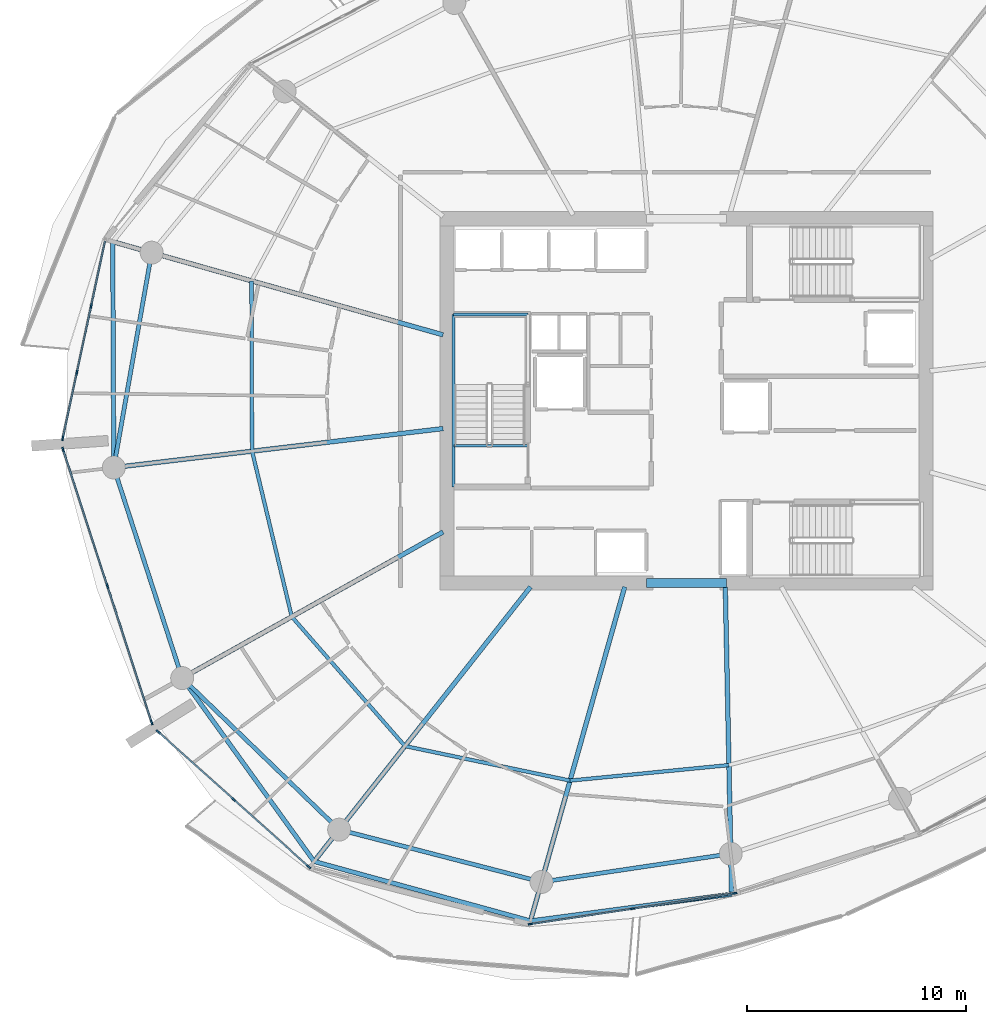
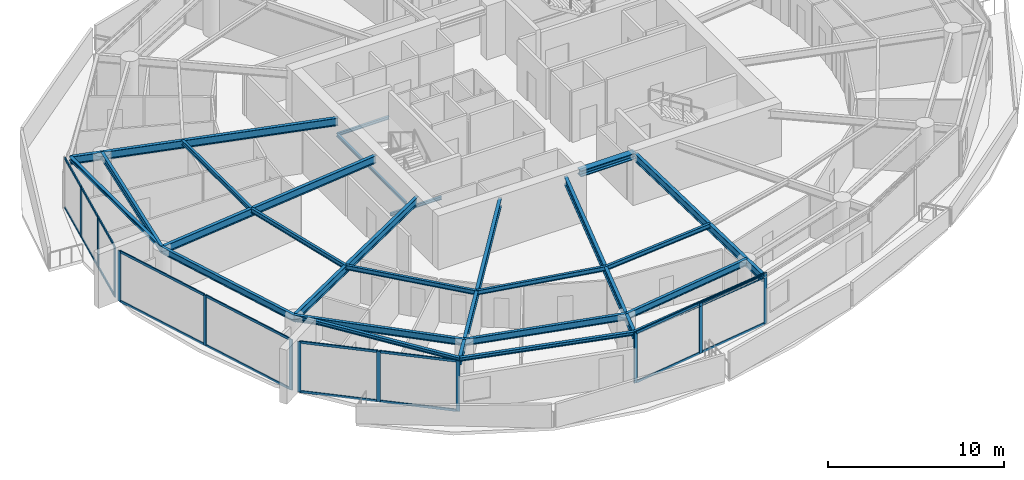
# One storey, part 5 of 20: 30 members, 24 beams, 4 elements without a shape of their own.
"""IFC4 building model written with IfcOpenShell, lengths in metres."""

from ifc_helpers import new_model, si_unit, direction, frame, origin, origin_2d, place, context, subcontext, project, spatial, rectangle, i_section, extrude, material, layer, layer_set, material_profile, profile_set, type_object, element, aggregate, save


model = new_model("IFC4")

# Units and contexts
model_context = context("Model", 3, precision=1e-05, world=origin(), true_north=direction((0.0, 1.0)))
body_context = subcontext(model_context, "Body", "Model", "MODEL_VIEW")
ifc_project = project(units=[si_unit("LENGTHUNIT", "METRE"), si_unit("AREAUNIT", "SQUARE_METRE"), si_unit("VOLUMEUNIT", "CUBIC_METRE"), si_unit("PLANEANGLEUNIT", "RADIAN"), si_unit("MASSUNIT", "GRAM", prefix="KILO")], contexts=[model_context])

# Site, building, storey
site_placement = place(None, origin())
site = spatial("IfcSite", under=ifc_project, at=site_placement, CompositionType="ELEMENT")
building_placement = place(site_placement, origin())
building = spatial("IfcBuilding", under=site, at=building_placement, Name="Kazma Halo Residences", CompositionType="ELEMENT")
storey_placement = place(building_placement, frame((0.0, 0.0, 202.800048828125)))
storey = spatial("IfcBuildingStorey", under=building, at=storey_placement, Name="L51", CompositionType="ELEMENT", Elevation=202.800048828125)

# Beams
ifc_material_1 = material(Name="Steel S355", Category="steel")
ifc_material_profile_1 = material_profile(ifc_material_1, i_section(OverallWidth=0.201904296875, OverallDepth=0.2470703125, WebThickness=0.00732421875, FlangeThickness=0.010986328125, FilletRadius=0.011962890625, at=origin_2d()), Name="W250x49.1")
ifc_profile_set_1 = profile_set([ifc_material_profile_1], Name="Steel S355")
beam_type_1 = type_object("IfcBeamType", Name="BM-BAL-CANT", PredefinedType="BEAM", material=ifc_profile_set_1)
for number, where, z_axis, x_axis, name in (
    (1, (22.19970703125, 49.276611328125, 3.37646484375), (0.004705663334, -0.999988928305, 0.0), (0.999988928305, 0.004705663334, 0.0), "L51 wave-balcony tie beam 07"),
    (2, (25.375, 29.329345703125, 3.37646484375), (0.583963922576, -0.811779611181, 0.0), (0.811779611181, 0.583963922576, 0.0), "L51 wave-balcony lead tie beam 09"),
):
    element("IfcBeam", number, at=place(storey_placement, frame(where, z_axis=z_axis, x_axis=x_axis)), inside=storey, type_object=beam_type_1, Name=name, PredefinedType="BEAM", context=body_context, shape_type="SweptSolid", body=[
        extrude(i_section(OverallWidth=0.201904296875, OverallDepth=0.2470703125, WebThickness=0.00732421875, FlangeThickness=0.010986328125, FilletRadius=0.011962890625, at=origin_2d()), origin(), (0.0, 0.0, 1.0), 10.324462890625),
    ])
beam_1_placement = place(storey_placement, frame((31.404052734375, 20.9482421875, 3.37646484375), z_axis=(0.964197026197, -0.265186905169, 0.0), x_axis=(0.265186905169, 0.964197026197, 0.0)))
element("IfcBeam", 3, at=beam_1_placement, inside=storey, type_object=beam_type_1, Name="L51 wave-balcony tie beam 10", PredefinedType="BEAM", context=body_context, shape_type="SweptSolid", body=[
    extrude(i_section(OverallWidth=0.201904296875, OverallDepth=0.2470703125, WebThickness=0.00732421875, FlangeThickness=0.010986328125, FilletRadius=0.011962890625, at=origin_2d()), origin(), (0.0, 0.0, 1.0), 10.258544921875),
])
beam_2_placement = place(storey_placement, frame((41.29541015625, 18.227783203125, 3.37646484375), z_axis=(0.99126671613, 0.131872277199, 0.0), x_axis=(-0.131872277199, 0.99126671613, 0.0)))
element("IfcBeam", 4, at=beam_2_placement, inside=storey, type_object=beam_type_1, Name="L51 wave-balcony tie beam 11", PredefinedType="BEAM", context=body_context, shape_type="SweptSolid", body=[
    extrude(i_section(OverallWidth=0.201904296875, OverallDepth=0.2470703125, WebThickness=0.00732421875, FlangeThickness=0.010986328125, FilletRadius=0.011962890625, at=origin_2d()), origin(), (0.0, 0.0, 1.0), 9.2734375),
])
ifc_material_profile_2 = material_profile(ifc_material_1, i_section(OverallWidth=0.408935546875, OverallDepth=0.425048828125, WebThickness=0.03271484375, FlangeThickness=0.052490234375, FilletRadius=0.02001953125, at=origin_2d()), Name="W360x421")
ifc_profile_set_2 = profile_set([ifc_material_profile_2], Name="Steel S355")
beam_type_2 = type_object("IfcBeamType", Name="BM-CORE-W360H", PredefinedType="BEAM", material=ifc_profile_set_2)
beam_3_placement = place(storey_placement, frame((46.60009765625, 33.675048828125, 3.287353515625), z_axis=(1.0, 0.0, 0.0), x_axis=(0.0, 1.0, 0.0)))
element("IfcBeam", 5, at=beam_3_placement, inside=storey, type_object=beam_type_2, Name="L51 core coupling beam S", PredefinedType="BEAM", context=body_context, shape_type="SweptSolid", body=[
    extrude(i_section(OverallWidth=0.408935546875, OverallDepth=0.425048828125, WebThickness=0.03271484375, FlangeThickness=0.052490234375, FilletRadius=0.02001953125, at=origin_2d()), origin(), (0.0, 0.0, 1.0), 3.64990234375),
])
ifc_material_profile_3 = material_profile(ifc_material_1, i_section(OverallWidth=0.208984375, OverallDepth=0.532958984375, WebThickness=0.01025390625, FlangeThickness=0.015625, FilletRadius=0.01611328125, at=origin_2d()), Name="W530x92")
ifc_profile_set_3 = profile_set([ifc_material_profile_3], Name="Steel S355")
beam_type_3 = type_object("IfcBeamType", Name="BM-RAD-W530", PredefinedType="BEAM", material=ifc_profile_set_3)
beam_4_placement = place(storey_placement, frame((37.300048828125, 45.017578125, 3.2333984375), z_axis=(-0.962450301448, 0.271457947467, 0.0), x_axis=(-0.271457947467, -0.962450301448, 0.0)))
element("IfcBeam", 6, at=beam_4_placement, inside=storey, type_object=beam_type_3, Name="L51 radial floor beam 07", PredefinedType="BEAM", context=body_context, shape_type="SweptSolid", body=[
    extrude(i_section(OverallWidth=0.208984375, OverallDepth=0.532958984375, WebThickness=0.01025390625, FlangeThickness=0.015625, FilletRadius=0.01611328125, at=origin_2d()), origin(), (0.0, 0.0, 1.0), 15.689453125),
])
beam_5_placement = place(storey_placement, frame((37.300048828125, 40.733642578125, 3.2333984375), z_axis=(-0.993068447674, -0.117537475875, 0.0), x_axis=(0.117537475875, -0.993068447674, 0.0)))
element("IfcBeam", 7, at=beam_5_placement, inside=storey, type_object=beam_type_3, Name="L51 radial floor beam 08", PredefinedType="BEAM", context=body_context, shape_type="SweptSolid", body=[
    extrude(i_section(OverallWidth=0.208984375, OverallDepth=0.532958984375, WebThickness=0.01025390625, FlangeThickness=0.015625, FilletRadius=0.01611328125, at=origin_2d()), origin(), (0.0, 0.0, 1.0), 15.15673828125),
])
beam_6_placement = place(storey_placement, frame((37.300048828125, 36.0078125, 3.2333984375), z_axis=(-0.872492308718, -0.488627845327, 0.0), x_axis=(0.488627845327, -0.872492308718, 0.0)))
element("IfcBeam", 8, at=beam_6_placement, inside=storey, type_object=beam_type_3, Name="L51 radial floor beam 09", PredefinedType="BEAM", context=body_context, shape_type="SweptSolid", body=[
    extrude(i_section(OverallWidth=0.208984375, OverallDepth=0.532958984375, WebThickness=0.01025390625, FlangeThickness=0.015625, FilletRadius=0.01611328125, at=origin_2d()), origin(), (0.0, 0.0, 1.0), 13.667724609375),
])
beam_7_placement = place(storey_placement, frame((41.299072265625, 33.5, 3.2333984375), z_axis=(-0.61909439419, -0.785316580165, 0.0), x_axis=(0.785316580165, -0.61909439419, 0.0)))
element("IfcBeam", 9, at=beam_7_placement, inside=storey, type_object=beam_type_3, Name="L51 radial floor beam 10", PredefinedType="BEAM", context=body_context, shape_type="SweptSolid", body=[
    extrude(i_section(OverallWidth=0.208984375, OverallDepth=0.532958984375, WebThickness=0.01025390625, FlangeThickness=0.015625, FilletRadius=0.01611328125, at=origin_2d()), origin(), (0.0, 0.0, 1.0), 15.983154296875),
])
beam_8_placement = place(storey_placement, frame((45.602783203125, 33.5, 3.2333984375), z_axis=(-0.271449932859, -0.962452561922, 0.0), x_axis=(0.962452561922, -0.271449932859, 0.0)))
element("IfcBeam", 10, at=beam_8_placement, inside=storey, type_object=beam_type_3, Name="L51 radial floor beam 11", PredefinedType="BEAM", context=body_context, shape_type="SweptSolid", body=[
    extrude(i_section(OverallWidth=0.208984375, OverallDepth=0.532958984375, WebThickness=0.01025390625, FlangeThickness=0.015625, FilletRadius=0.01611328125, at=origin_2d()), origin(), (0.0, 0.0, 1.0), 15.867919921875),
])
beam_9_placement = place(storey_placement, frame((50.199951171875, 33.5, 3.2333984375), z_axis=(0.020483658838, -0.99979018785, 0.0), x_axis=(0.99979018785, 0.020483658838, 0.0)))
element("IfcBeam", 11, at=beam_9_placement, inside=storey, type_object=beam_type_3, Name="L51 radial floor beam 12", PredefinedType="BEAM", context=body_context, shape_type="SweptSolid", body=[
    extrude(i_section(OverallWidth=0.208984375, OverallDepth=0.532958984375, WebThickness=0.01025390625, FlangeThickness=0.015625, FilletRadius=0.01611328125, at=origin_2d()), origin(), (0.0, 0.0, 1.0), 14.05224609375),
])
ifc_material_profile_4 = material_profile(ifc_material_1, i_section(OverallWidth=0.1650390625, OverallDepth=0.31005859375, WebThickness=0.005859375, FlangeThickness=0.009765625, FilletRadius=0.011962890625, at=origin_2d()), Name="W310x38.7")
ifc_profile_set_4 = profile_set([ifc_material_profile_4], Name="Steel S355")
beam_type_4 = type_object("IfcBeamType", Name="BM-SEC-W310B", PredefinedType="JOIST", material=ifc_profile_set_4)
beam_10_placement = place(storey_placement, frame((28.5419921875, 47.48779296875, 3.344970703125), z_axis=(0.003605218278, -0.999993501179, 0.0), x_axis=(0.999993501179, 0.003605218278, 0.0)))
element("IfcBeam", 12, at=beam_10_placement, inside=storey, type_object=beam_type_4, Name="L51 circumferential floor joist 07", PredefinedType="JOIST", context=body_context, shape_type="SweptSolid", body=[
    extrude(i_section(OverallWidth=0.1650390625, OverallDepth=0.31005859375, WebThickness=0.005859375, FlangeThickness=0.009765625, FilletRadius=0.011962890625, at=origin_2d()), origin(), (0.0, 0.0, 1.0), 7.78759765625),
])
beam_11_placement = place(storey_placement, frame((28.570068359375, 39.7001953125, 3.344970703125), z_axis=(0.233058429286, -0.972462733753, 0.0), x_axis=(0.972462733753, 0.233058429286, 0.0)))
element("IfcBeam", 13, at=beam_11_placement, inside=storey, type_object=beam_type_4, Name="L51 circumferential floor joist 08", PredefinedType="JOIST", context=body_context, shape_type="SweptSolid", body=[
    extrude(i_section(OverallWidth=0.1650390625, OverallDepth=0.31005859375, WebThickness=0.005859375, FlangeThickness=0.009765625, FilletRadius=0.011962890625, at=origin_2d()), origin(), (0.0, 0.0, 1.0), 7.7802734375),
])
beam_12_placement = place(storey_placement, frame((30.38330078125, 32.13427734375, 3.344970703125), z_axis=(0.658629944618, -0.75246700662, 0.0), x_axis=(0.75246700662, 0.658629944618, 0.0)))
element("IfcBeam", 14, at=beam_12_placement, inside=storey, type_object=beam_type_4, Name="L51 circumferential floor joist 09", PredefinedType="JOIST", context=body_context, shape_type="SweptSolid", body=[
    extrude(i_section(OverallWidth=0.1650390625, OverallDepth=0.31005859375, WebThickness=0.005859375, FlangeThickness=0.009765625, FilletRadius=0.011962890625, at=origin_2d()), origin(), (0.0, 0.0, 1.0), 7.85986328125),
])
beam_13_placement = place(storey_placement, frame((35.56005859375, 26.219970703125, 3.344970703125), z_axis=(0.978821484976, -0.204715657802, 0.0), x_axis=(0.204715657802, 0.978821484976, 0.0)))
element("IfcBeam", 15, at=beam_13_placement, inside=storey, type_object=beam_type_4, Name="L51 circumferential floor joist 10", PredefinedType="JOIST", context=body_context, shape_type="SweptSolid", body=[
    extrude(i_section(OverallWidth=0.1650390625, OverallDepth=0.31005859375, WebThickness=0.005859375, FlangeThickness=0.009765625, FilletRadius=0.011962890625, at=origin_2d()), origin(), (0.0, 0.0, 1.0), 7.707763671875),
])
beam_14_placement = place(storey_placement, frame((43.1044921875, 24.64208984375, 3.344970703125), z_axis=(0.995262165401, 0.097227681872, 0.0), x_axis=(-0.097227681872, 0.995262165401, 0.0)))
element("IfcBeam", 16, at=beam_14_placement, inside=storey, type_object=beam_type_4, Name="L51 circumferential floor joist 11", PredefinedType="JOIST", context=body_context, shape_type="SweptSolid", body=[
    extrude(i_section(OverallWidth=0.1650390625, OverallDepth=0.31005859375, WebThickness=0.005859375, FlangeThickness=0.009765625, FilletRadius=0.011962890625, at=origin_2d()), origin(), (0.0, 0.0, 1.0), 7.297119140625),
])
ifc_material_profile_5 = material_profile(ifc_material_1, i_section(OverallWidth=0.18994140625, OverallDepth=0.45703125, WebThickness=0.009033203125, FlangeThickness=0.014404296875, FilletRadius=0.01611328125, at=origin_2d()), Name="W460x74")
ifc_profile_set_5 = profile_set([ifc_material_profile_5], Name="Steel S355")
beam_type_5 = type_object("IfcBeamType", Name="BM-SPN-W460", PredefinedType="BEAM", material=ifc_profile_set_5)
beam_15_placement = place(storey_placement, frame((23.980224609375, 48.7744140625, 3.271484375), z_axis=(-0.173648484202, -0.984807698962, 0.0), x_axis=(0.984807698962, -0.173648484202, 0.0)))
element("IfcBeam", 17, at=beam_15_placement, inside=storey, type_object=beam_type_5, Name="L51 perimeter ring beam 07", PredefinedType="BEAM", context=body_context, shape_type="SweptSolid", body=[
    extrude(i_section(OverallWidth=0.18994140625, OverallDepth=0.45703125, WebThickness=0.009033203125, FlangeThickness=0.014404296875, FilletRadius=0.01611328125, at=origin_2d()), origin(), (0.0, 0.0, 1.0), 9.973876953125),
])
beam_16_placement = place(storey_placement, frame((22.248291015625, 38.9521484375, 3.271484375), z_axis=(0.309023327426, -0.951054458539, 0.0), x_axis=(0.951054458539, 0.309023327426, 0.0)))
element("IfcBeam", 18, at=beam_16_placement, inside=storey, type_object=beam_type_5, Name="L51 perimeter ring beam 08", PredefinedType="BEAM", context=body_context, shape_type="SweptSolid", body=[
    extrude(i_section(OverallWidth=0.18994140625, OverallDepth=0.45703125, WebThickness=0.009033203125, FlangeThickness=0.014404296875, FilletRadius=0.01611328125, at=origin_2d()), origin(), (0.0, 0.0, 1.0), 10.117919921875),
])
beam_17_placement = place(storey_placement, frame((25.375, 29.329345703125, 3.271484375), z_axis=(0.71933650181, -0.694661786169, 0.0), x_axis=(0.694661786169, 0.71933650181, 0.0)))
element("IfcBeam", 19, at=beam_17_placement, inside=storey, type_object=beam_type_5, Name="L51 perimeter ring beam 09", PredefinedType="BEAM", context=body_context, shape_type="SweptSolid", body=[
    extrude(i_section(OverallWidth=0.18994140625, OverallDepth=0.45703125, WebThickness=0.009033203125, FlangeThickness=0.014404296875, FilletRadius=0.01611328125, at=origin_2d()), origin(), (0.0, 0.0, 1.0), 9.9736328125),
])
beam_18_placement = place(storey_placement, frame((32.54931640625, 22.401123046875, 3.271484375), z_axis=(0.968120950739, -0.25048318255, 0.0), x_axis=(0.25048318255, 0.968120950739, 0.0)))
element("IfcBeam", 20, at=beam_18_placement, inside=storey, type_object=beam_type_5, Name="L51 perimeter ring beam 10", PredefinedType="BEAM", context=body_context, shape_type="SweptSolid", body=[
    extrude(i_section(OverallWidth=0.18994140625, OverallDepth=0.45703125, WebThickness=0.009033203125, FlangeThickness=0.014404296875, FilletRadius=0.01611328125, at=origin_2d()), origin(), (0.0, 0.0, 1.0), 9.552734375),
])
beam_19_placement = place(storey_placement, frame((41.797607421875, 20.00830078125, 3.271484375), z_axis=(0.98903439143, 0.147685383732, 0.0), x_axis=(-0.147685383732, 0.98903439143, 0.0)))
element("IfcBeam", 21, at=beam_19_placement, inside=storey, type_object=beam_type_5, Name="L51 perimeter ring beam 11", PredefinedType="BEAM", context=body_context, shape_type="SweptSolid", body=[
    extrude(i_section(OverallWidth=0.18994140625, OverallDepth=0.45703125, WebThickness=0.009033203125, FlangeThickness=0.014404296875, FilletRadius=0.01611328125, at=origin_2d()), origin(), (0.0, 0.0, 1.0), 8.748291015625),
])
ifc_material_profile_6 = material_profile(ifc_material_1, i_section(OverallWidth=0.133056640625, OverallDepth=0.20703125, WebThickness=0.005859375, FlangeThickness=0.00830078125, FilletRadius=0.010009765625, at=origin_2d()), Name="W200x26.6")
ifc_profile_set_6 = profile_set([ifc_material_profile_6], Name="Steel S355")
beam_type_6 = type_object("IfcBeamType", Name="BM-TRIM-W200", PredefinedType="BEAM", material=ifc_profile_set_6)
beam_20_placement = place(storey_placement, frame((37.800048828125, 39.949951171875, -0.360107421875), z_axis=(1.0, 0.0, 0.0), x_axis=(0.0, 1.0, 0.0)))
element("IfcBeam", 22, at=beam_20_placement, inside=storey, type_object=beam_type_6, Name="L51 ST-01 floor landing support beam", PredefinedType="BEAM", context=body_context, shape_type="SweptSolid", body=[
    extrude(i_section(OverallWidth=0.133056640625, OverallDepth=0.20703125, WebThickness=0.005859375, FlangeThickness=0.00830078125, FilletRadius=0.010009765625, at=origin_2d()), origin(), (0.0, 0.0, 1.0), 3.3798828125),
])
beam_21_placement = place(storey_placement, frame((37.780029296875, 38.06005859375, 1.570068359375), z_axis=(0.0, 1.0, 0.0), x_axis=(-1.0, 0.0, 0.0)))
element("IfcBeam", 23, at=beam_21_placement, inside=storey, type_object=beam_type_6, Name="L51 ST-01 landing west wall ledger", PredefinedType="BEAM", context=body_context, shape_type="SweptSolid", body=[
    extrude(i_section(OverallWidth=0.133056640625, OverallDepth=0.20703125, WebThickness=0.005859375, FlangeThickness=0.00830078125, FilletRadius=0.010009765625, at=origin_2d()), origin(), (0.0, 0.0, 1.0), 7.8798828125),
])
beam_22_placement = place(storey_placement, frame((37.780029296875, 45.93994140625, 1.570068359375), z_axis=(1.0, 0.0, 0.0), x_axis=(0.0, 1.0, 0.0)))
element("IfcBeam", 24, at=beam_22_placement, inside=storey, type_object=beam_type_6, Name="L51 ST-01 landing end wall ledger", PredefinedType="BEAM", context=body_context, shape_type="SweptSolid", body=[
    extrude(i_section(OverallWidth=0.133056640625, OverallDepth=0.20703125, WebThickness=0.005859375, FlangeThickness=0.00830078125, FilletRadius=0.010009765625, at=origin_2d()), origin(), (0.0, 0.0, 1.0), 3.39990234375),
])

# Curtain wall, members
ifc_material_2 = material(Name="Aluminium AW-6063 T6 and Triple-Silver Low-E Glass", Category="aluminium")
ifc_layer = layer(ifc_material_2, 0.219970703125)
ifc_layer_set = layer_set([ifc_layer], Name="Aluminium AW-6063 T6 and Triple-Silver Low-E Glass")
curtain_wall_type = type_object("IfcCurtainWallType", Name="CW-SYS-4", PredefinedType="NOTDEFINED", material=ifc_layer_set)
curtain_wall_1_placement = place(storey_placement, origin())
curtain_wall_1 = element("IfcCurtainWall", 25, at=curtain_wall_1_placement, inside=storey, type_object=curtain_wall_type, Name="L51 unitised curtain wall B07", PredefinedType="NOTDEFINED")
ifc_material_3 = material(Name="Aluminium AW-6063 T6", Category="aluminium")
ifc_material_profile_7 = material_profile(ifc_material_3, rectangle(XDim=0.074951171875, YDim=0.219970703125, at=origin_2d()), Name="CWM-75x220")
ifc_profile_set_7 = profile_set([ifc_material_profile_7], Name="Aluminium AW-6063 T6")
member_type_1 = type_object("IfcMemberType", Name="CW-SYS-4-MUL", PredefinedType="MULLION", material=ifc_profile_set_7)
member_1_placement = place(storey_placement, frame((21.212890625, 46.3330078125, 0.0), z_axis=(0.0, 0.0, 1.0), x_axis=(0.977768017212, -0.209689543175, 0.0)))
member_1 = element("IfcMember", 26, at=member_1_placement, type_object=member_type_1, Name="CWS-4 mullion 2", PredefinedType="MULLION", context=body_context, shape_type="SweptSolid", body=[
    extrude(rectangle(XDim=0.074951171875, YDim=0.219970703125, at=origin_2d()), origin(), (0.0, 0.0, 1.0), 3.5),
])
member_2_placement = place(storey_placement, frame((20.561279296875, 43.295166015625, 0.0), z_axis=(0.0, 0.0, 1.0), x_axis=(0.977768017212, -0.209689543175, 0.0)))
member_2 = element("IfcMember", 27, at=member_2_placement, type_object=member_type_1, Name="CWS-4 mullion 3", PredefinedType="MULLION", context=body_context, shape_type="SweptSolid", body=[
    extrude(rectangle(XDim=0.074951171875, YDim=0.219970703125, at=origin_2d()), origin(), (0.0, 0.0, 1.0), 3.5),
])
member_3_placement = place(storey_placement, frame((19.917724609375, 40.2939453125, 0.0), z_axis=(0.0, 0.0, 1.0), x_axis=(0.977768017212, -0.209689543175, 0.0)))
member_3 = element("IfcMember", 28, at=member_3_placement, type_object=member_type_1, Name="CWS-4 mullion 4", PredefinedType="MULLION", context=body_context, shape_type="SweptSolid", body=[
    extrude(rectangle(XDim=0.074951171875, YDim=0.219970703125, at=origin_2d()), origin(), (0.0, 0.0, 1.0), 3.5),
])

curtain_wall_2_placement = place(storey_placement, origin())
curtain_wall_2 = element("IfcCurtainWall", 29, at=curtain_wall_2_placement, inside=storey, type_object=curtain_wall_type, Name="L51 unitised curtain wall B08", PredefinedType="NOTDEFINED")
member_4_placement = place(storey_placement, frame((19.9287109375, 39.77880859375, 0.0), z_axis=(0.0, 0.0, 1.0), x_axis=(0.951056893636, 0.309015833038, 0.0)))
member_4 = element("IfcMember", 30, at=member_4_placement, type_object=member_type_1, Name="CWS-4 mullion 1", PredefinedType="MULLION", context=body_context, shape_type="SweptSolid", body=[
    extrude(rectangle(XDim=0.074951171875, YDim=0.219970703125, at=origin_2d()), origin(), (0.0, 0.0, 1.0), 3.5),
])
member_5_placement = place(storey_placement, frame((21.95654296875, 33.5380859375, 0.0), z_axis=(0.0, 0.0, 1.0), x_axis=(0.951056893636, 0.309015833038, 0.0)))
member_5 = element("IfcMember", 31, at=member_5_placement, type_object=member_type_1, Name="CWS-4 mullion 2", PredefinedType="MULLION", context=body_context, shape_type="SweptSolid", body=[
    extrude(rectangle(XDim=0.074951171875, YDim=0.219970703125, at=origin_2d()), origin(), (0.0, 0.0, 1.0), 3.5),
])
member_6_placement = place(storey_placement, frame((23.984375, 27.297119140625, 0.0), z_axis=(0.0, 0.0, 1.0), x_axis=(0.951056893636, 0.309015833038, 0.0)))
member_6 = element("IfcMember", 32, at=member_6_placement, type_object=member_type_1, Name="CWS-4 mullion 3", PredefinedType="MULLION", context=body_context, shape_type="SweptSolid", body=[
    extrude(rectangle(XDim=0.074951171875, YDim=0.219970703125, at=origin_2d()), origin(), (0.0, 0.0, 1.0), 3.5),
])

curtain_wall_3_placement = place(storey_placement, origin())
curtain_wall_3 = element("IfcCurtainWall", 33, at=curtain_wall_3_placement, inside=storey, type_object=curtain_wall_type, Name="L51 unitised curtain wall B09", PredefinedType="NOTDEFINED")
member_7_placement = place(storey_placement, frame((24.2783203125, 26.873779296875, 0.0), z_axis=(0.0, 0.0, 1.0), x_axis=(0.667784328806, 0.744354814723, 0.0)))
member_7 = element("IfcMember", 34, at=member_7_placement, type_object=member_type_1, Name="CWS-4 mullion 1", PredefinedType="MULLION", context=body_context, shape_type="SweptSolid", body=[
    extrude(rectangle(XDim=0.074951171875, YDim=0.219970703125, at=origin_2d()), origin(), (0.0, 0.0, 1.0), 3.5),
])
member_8_placement = place(storey_placement, frame((27.719482421875, 23.786865234375, 0.0), z_axis=(0.0, 0.0, 1.0), x_axis=(0.667784328806, 0.744354814723, 0.0)))
member_8 = element("IfcMember", 35, at=member_8_placement, type_object=member_type_1, Name="CWS-4 mullion 2", PredefinedType="MULLION", context=body_context, shape_type="SweptSolid", body=[
    extrude(rectangle(XDim=0.074951171875, YDim=0.219970703125, at=origin_2d()), origin(), (0.0, 0.0, 1.0), 3.5),
])
member_9_placement = place(storey_placement, frame((31.160400390625, 20.69970703125, 0.0), z_axis=(0.0, 0.0, 1.0), x_axis=(0.667784328806, 0.744354814723, 0.0)))
member_9 = element("IfcMember", 36, at=member_9_placement, type_object=member_type_1, Name="CWS-4 mullion 3", PredefinedType="MULLION", context=body_context, shape_type="SweptSolid", body=[
    extrude(rectangle(XDim=0.074951171875, YDim=0.219970703125, at=origin_2d()), origin(), (0.0, 0.0, 1.0), 3.5),
])

curtain_wall_4_placement = place(storey_placement, origin())
curtain_wall_4 = element("IfcCurtainWall", 37, at=curtain_wall_4_placement, inside=storey, type_object=curtain_wall_type, Name="L51 unitised curtain wall B11", PredefinedType="NOTDEFINED")
member_10_placement = place(storey_placement, frame((41.291259765625, 18.086669921875, 0.0), z_axis=(0.0, 0.0, 1.0), x_axis=(-0.148772639188, 0.988871428361, 0.0)))
member_10 = element("IfcMember", 38, at=member_10_placement, type_object=member_type_1, Name="CWS-4 mullion 1", PredefinedType="MULLION", context=body_context, shape_type="SweptSolid", body=[
    extrude(rectangle(XDim=0.074951171875, YDim=0.219970703125, at=origin_2d()), origin(), (0.0, 0.0, 1.0), 3.5),
])
member_11_placement = place(storey_placement, frame((45.958740234375, 18.788818359375, 0.0), z_axis=(0.0, 0.0, 1.0), x_axis=(-0.148772639188, 0.988871428361, 0.0)))
member_11 = element("IfcMember", 39, at=member_11_placement, type_object=member_type_1, Name="CWS-4 mullion 2", PredefinedType="MULLION", context=body_context, shape_type="SweptSolid", body=[
    extrude(rectangle(XDim=0.074951171875, YDim=0.219970703125, at=origin_2d()), origin(), (0.0, 0.0, 1.0), 3.5),
])
member_12_placement = place(storey_placement, frame((50.626220703125, 19.490966796875, 0.0), z_axis=(0.0, 0.0, 1.0), x_axis=(-0.148772639188, 0.988871428361, 0.0)))
member_12 = element("IfcMember", 40, at=member_12_placement, type_object=member_type_1, Name="CWS-4 mullion 3", PredefinedType="MULLION", context=body_context, shape_type="SweptSolid", body=[
    extrude(rectangle(XDim=0.074951171875, YDim=0.219970703125, at=origin_2d()), origin(), (0.0, 0.0, 1.0), 3.5),
])

# Member
ifc_material_profile_8 = material_profile(ifc_material_3, rectangle(XDim=0.074951171875, YDim=0.1650390625, at=origin_2d()), Name="CWT-75x165")
ifc_profile_set_8 = profile_set([ifc_material_profile_8], Name="Aluminium AW-6063 T6")
member_type_2 = type_object("IfcMemberType", Name="CW-SYS-4-TRN", PredefinedType="USERDEFINED", material=ifc_profile_set_8)
member_13_placement = place(storey_placement, frame((21.8486328125, 49.297607421875, 0.037353515625), z_axis=(-0.209707268418, -0.977764215735, 0.0), x_axis=(0.977764215735, -0.209707268418, 0.0)))
member_13 = element("IfcMember", 41, at=member_13_placement, type_object=member_type_2, Name="CWS-4 transom 1.1", ObjectType="TRANSOM", PredefinedType="USERDEFINED", context=body_context, shape_type="SweptSolid", body=[
    extrude(rectangle(XDim=0.074951171875, YDim=0.1650390625, at=origin_2d()), origin(), (0.0, 0.0, 1.0), 2.994384765625),
])

member_14_placement = place(storey_placement, frame((21.8486328125, 49.297607421875, 3.46240234375), z_axis=(-0.209707268418, -0.977764215735, 0.0), x_axis=(0.977764215735, -0.209707268418, 0.0)))
member_14 = element("IfcMember", 42, at=member_14_placement, type_object=member_type_2, Name="CWS-4 transom 1.2", ObjectType="TRANSOM", PredefinedType="USERDEFINED", context=body_context, shape_type="SweptSolid", body=[
    extrude(rectangle(XDim=0.074951171875, YDim=0.1650390625, at=origin_2d()), origin(), (0.0, 0.0, 1.0), 2.994384765625),
])

member_15_placement = place(storey_placement, frame((21.205078125, 46.29638671875, 0.037353515625), z_axis=(-0.209677559804, -0.977770587057, 0.0), x_axis=(0.977770587057, -0.209677559804, 0.0)))
member_15 = element("IfcMember", 43, at=member_15_placement, type_object=member_type_2, Name="CWS-4 transom 2.1", ObjectType="TRANSOM", PredefinedType="USERDEFINED", context=body_context, shape_type="SweptSolid", body=[
    extrude(rectangle(XDim=0.074951171875, YDim=0.1650390625, at=origin_2d()), origin(), (0.0, 0.0, 1.0), 3.031982421875),
])

member_16_placement = place(storey_placement, frame((21.205078125, 46.29638671875, 3.46240234375), z_axis=(-0.209677559804, -0.977770587057, 0.0), x_axis=(0.977770587057, -0.209677559804, 0.0)))
member_16 = element("IfcMember", 44, at=member_16_placement, type_object=member_type_2, Name="CWS-4 transom 2.2", ObjectType="TRANSOM", PredefinedType="USERDEFINED", context=body_context, shape_type="SweptSolid", body=[
    extrude(rectangle(XDim=0.074951171875, YDim=0.1650390625, at=origin_2d()), origin(), (0.0, 0.0, 1.0), 3.031982421875),
])

member_17_placement = place(storey_placement, frame((20.553466796875, 43.258544921875, 0.037353515625), z_axis=(-0.209690551496, -0.97776780097, 0.0), x_axis=(0.97776780097, -0.209690551496, 0.0)))
member_17 = element("IfcMember", 45, at=member_17_placement, type_object=member_type_2, Name="CWS-4 transom 3.1", ObjectType="TRANSOM", PredefinedType="USERDEFINED", context=body_context, shape_type="SweptSolid", body=[
    extrude(rectangle(XDim=0.074951171875, YDim=0.1650390625, at=origin_2d()), origin(), (0.0, 0.0, 1.0), 2.99462890625),
])

member_18_placement = place(storey_placement, frame((20.553466796875, 43.258544921875, 3.46240234375), z_axis=(-0.209690551496, -0.97776780097, 0.0), x_axis=(0.97776780097, -0.209690551496, 0.0)))
member_18 = element("IfcMember", 46, at=member_18_placement, type_object=member_type_2, Name="CWS-4 transom 3.2", ObjectType="TRANSOM", PredefinedType="USERDEFINED", context=body_context, shape_type="SweptSolid", body=[
    extrude(rectangle(XDim=0.074951171875, YDim=0.1650390625, at=origin_2d()), origin(), (0.0, 0.0, 1.0), 2.99462890625),
])

aggregate(curtain_wall_1, [member_1, member_2, member_3, member_13, member_14, member_15, member_16, member_17, member_18])

member_19_placement = place(storey_placement, frame((19.9404296875, 39.7431640625, 0.037353515625), z_axis=(0.30902650142, -0.951053427217, 0.0), x_axis=(0.951053427217, 0.30902650142, 0.0)))
member_19 = element("IfcMember", 47, at=member_19_placement, type_object=member_type_2, Name="CWS-4 transom 1.1", ObjectType="TRANSOM", PredefinedType="USERDEFINED", context=body_context, shape_type="SweptSolid", body=[
    extrude(rectangle(XDim=0.074951171875, YDim=0.1650390625, at=origin_2d()), origin(), (0.0, 0.0, 1.0), 6.487060546875),
])

member_20_placement = place(storey_placement, frame((19.9404296875, 39.7431640625, 3.46240234375), z_axis=(0.30902650142, -0.951053427217, 0.0), x_axis=(0.951053427217, 0.30902650142, 0.0)))
member_20 = element("IfcMember", 48, at=member_20_placement, type_object=member_type_2, Name="CWS-4 transom 1.2", ObjectType="TRANSOM", PredefinedType="USERDEFINED", context=body_context, shape_type="SweptSolid", body=[
    extrude(rectangle(XDim=0.074951171875, YDim=0.1650390625, at=origin_2d()), origin(), (0.0, 0.0, 1.0), 6.487060546875),
])

member_21_placement = place(storey_placement, frame((21.968017578125, 33.50244140625, 0.037353515625), z_axis=(0.309015440644, -0.951057021132, 0.0), x_axis=(0.951057021132, 0.309015440644, 0.0)))
member_21 = element("IfcMember", 49, at=member_21_placement, type_object=member_type_2, Name="CWS-4 transom 2.1", ObjectType="TRANSOM", PredefinedType="USERDEFINED", context=body_context, shape_type="SweptSolid", body=[
    extrude(rectangle(XDim=0.074951171875, YDim=0.1650390625, at=origin_2d()), origin(), (0.0, 0.0, 1.0), 6.487060546875),
])

member_22_placement = place(storey_placement, frame((21.968017578125, 33.50244140625, 3.46240234375), z_axis=(0.309015440644, -0.951057021132, 0.0), x_axis=(0.951057021132, 0.309015440644, 0.0)))
member_22 = element("IfcMember", 50, at=member_22_placement, type_object=member_type_2, Name="CWS-4 transom 2.2", ObjectType="TRANSOM", PredefinedType="USERDEFINED", context=body_context, shape_type="SweptSolid", body=[
    extrude(rectangle(XDim=0.074951171875, YDim=0.1650390625, at=origin_2d()), origin(), (0.0, 0.0, 1.0), 6.487060546875),
])

aggregate(curtain_wall_2, [member_4, member_5, member_6, member_19, member_20, member_21, member_22])

member_23_placement = place(storey_placement, frame((24.30615234375, 26.848876953125, 0.037353515625), z_axis=(0.744344906673, -0.667795372783, 0.0), x_axis=(0.667795372783, 0.744344906673, 0.0)))
member_23 = element("IfcMember", 51, at=member_23_placement, type_object=member_type_2, Name="CWS-4 transom 1.1", ObjectType="TRANSOM", PredefinedType="USERDEFINED", context=body_context, shape_type="SweptSolid", body=[
    extrude(rectangle(XDim=0.074951171875, YDim=0.1650390625, at=origin_2d()), origin(), (0.0, 0.0, 1.0), 4.5478515625),
])

member_24_placement = place(storey_placement, frame((24.30615234375, 26.848876953125, 3.46240234375), z_axis=(0.744344906673, -0.667795372783, 0.0), x_axis=(0.667795372783, 0.744344906673, 0.0)))
member_24 = element("IfcMember", 52, at=member_24_placement, type_object=member_type_2, Name="CWS-4 transom 1.2", ObjectType="TRANSOM", PredefinedType="USERDEFINED", context=body_context, shape_type="SweptSolid", body=[
    extrude(rectangle(XDim=0.074951171875, YDim=0.1650390625, at=origin_2d()), origin(), (0.0, 0.0, 1.0), 4.5478515625),
])

member_25_placement = place(storey_placement, frame((27.747314453125, 23.76171875, 0.037353515625), z_axis=(0.744344906673, -0.667795372783, 0.0), x_axis=(0.667795372783, 0.744344906673, 0.0)))
member_25 = element("IfcMember", 53, at=member_25_placement, type_object=member_type_2, Name="CWS-4 transom 2.1", ObjectType="TRANSOM", PredefinedType="USERDEFINED", context=body_context, shape_type="SweptSolid", body=[
    extrude(rectangle(XDim=0.074951171875, YDim=0.1650390625, at=origin_2d()), origin(), (0.0, 0.0, 1.0), 4.5478515625),
])

member_26_placement = place(storey_placement, frame((27.747314453125, 23.76171875, 3.46240234375), z_axis=(0.744344906673, -0.667795372783, 0.0), x_axis=(0.667795372783, 0.744344906673, 0.0)))
member_26 = element("IfcMember", 54, at=member_26_placement, type_object=member_type_2, Name="CWS-4 transom 2.2", ObjectType="TRANSOM", PredefinedType="USERDEFINED", context=body_context, shape_type="SweptSolid", body=[
    extrude(rectangle(XDim=0.074951171875, YDim=0.1650390625, at=origin_2d()), origin(), (0.0, 0.0, 1.0), 4.5478515625),
])

aggregate(curtain_wall_3, [member_7, member_8, member_9, member_23, member_24, member_25, member_26])

member_27_placement = place(storey_placement, frame((41.328369140625, 18.092041015625, 0.037353515625), z_axis=(0.988867623216, 0.148797929272, 0.0), x_axis=(-0.148797929272, 0.988867623216, 0.0)))
member_27 = element("IfcMember", 55, at=member_27_placement, type_object=member_type_2, Name="CWS-4 transom 1.1", ObjectType="TRANSOM", PredefinedType="USERDEFINED", context=body_context, shape_type="SweptSolid", body=[
    extrude(rectangle(XDim=0.074951171875, YDim=0.1650390625, at=origin_2d()), origin(), (0.0, 0.0, 1.0), 4.64501953125),
])

member_28_placement = place(storey_placement, frame((41.328369140625, 18.092041015625, 3.46240234375), z_axis=(0.988867623216, 0.148797929272, 0.0), x_axis=(-0.148797929272, 0.988867623216, 0.0)))
member_28 = element("IfcMember", 56, at=member_28_placement, type_object=member_type_2, Name="CWS-4 transom 1.2", ObjectType="TRANSOM", PredefinedType="USERDEFINED", context=body_context, shape_type="SweptSolid", body=[
    extrude(rectangle(XDim=0.074951171875, YDim=0.1650390625, at=origin_2d()), origin(), (0.0, 0.0, 1.0), 4.64501953125),
])

member_29_placement = place(storey_placement, frame((45.995849609375, 18.79443359375, 0.037353515625), z_axis=(0.988876518566, 0.148738801357, 0.0), x_axis=(-0.148738801357, 0.988876518566, 0.0)))
member_29 = element("IfcMember", 57, at=member_29_placement, type_object=member_type_2, Name="CWS-4 transom 2.1", ObjectType="TRANSOM", PredefinedType="USERDEFINED", context=body_context, shape_type="SweptSolid", body=[
    extrude(rectangle(XDim=0.074951171875, YDim=0.1650390625, at=origin_2d()), origin(), (0.0, 0.0, 1.0), 4.645263671875),
])

member_30_placement = place(storey_placement, frame((45.995849609375, 18.79443359375, 3.46240234375), z_axis=(0.988876518566, 0.148738801357, 0.0), x_axis=(-0.148738801357, 0.988876518566, 0.0)))
member_30 = element("IfcMember", 58, at=member_30_placement, type_object=member_type_2, Name="CWS-4 transom 2.2", ObjectType="TRANSOM", PredefinedType="USERDEFINED", context=body_context, shape_type="SweptSolid", body=[
    extrude(rectangle(XDim=0.074951171875, YDim=0.1650390625, at=origin_2d()), origin(), (0.0, 0.0, 1.0), 4.645263671875),
])

aggregate(curtain_wall_4, [member_10, member_11, member_12, member_27, member_28, member_29, member_30])

save(model, "model.ifc")
